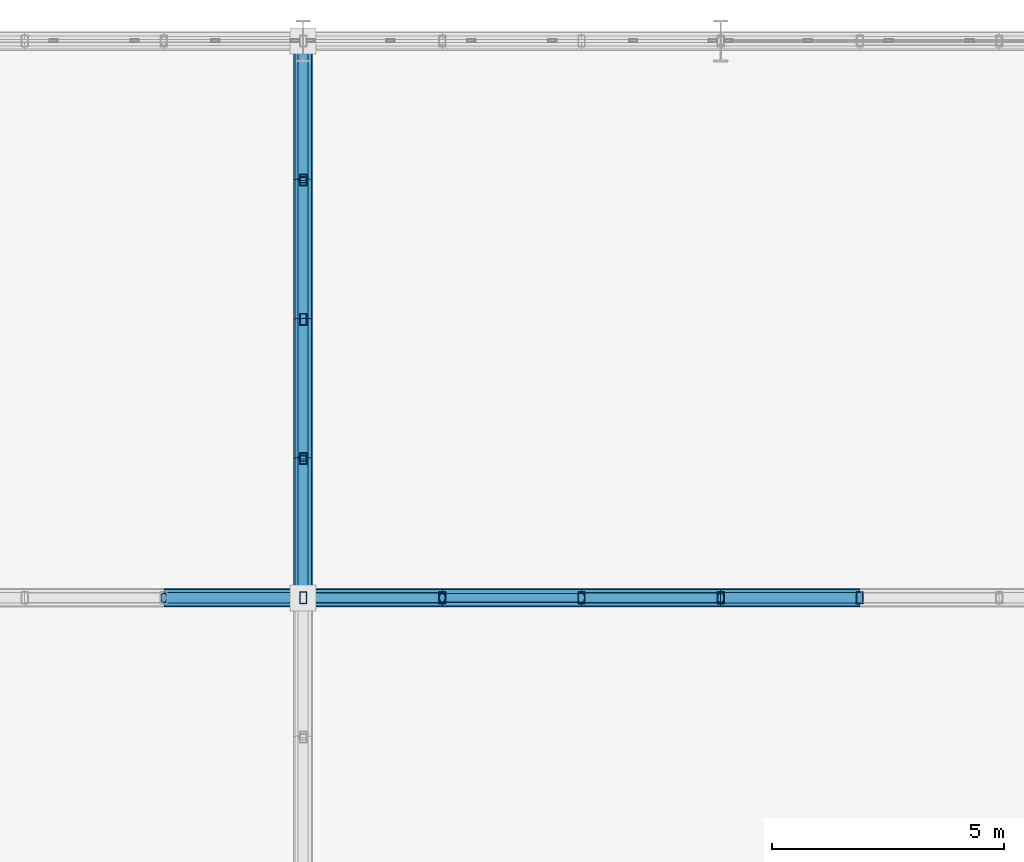
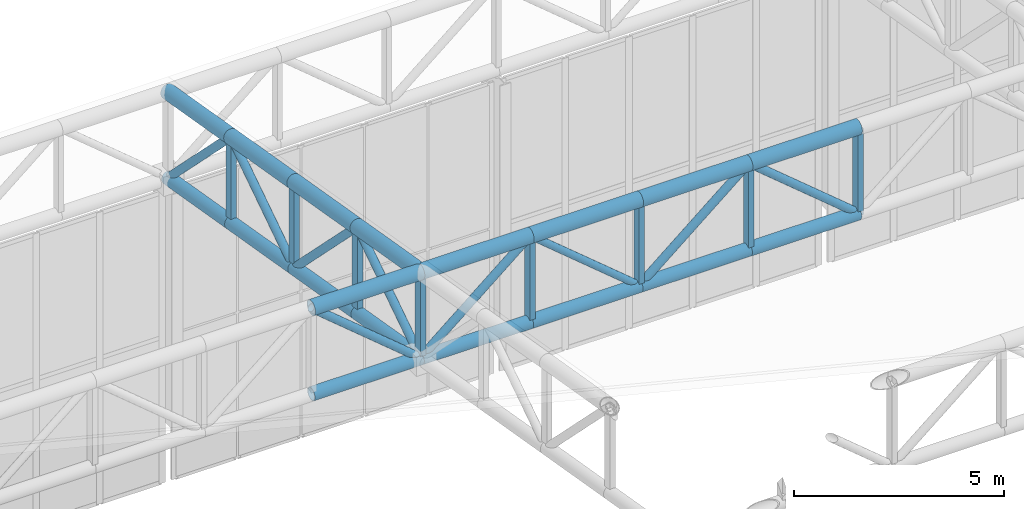
# One storey, part 104 of 239: 35 members.
"""IFC4 building model written with IfcOpenShell, lengths in metres."""

from ifc_helpers import new_model, si_unit, direction, frame, origin, origin_2d, place, context, subcontext, project, spatial, hollow_rectangle, hollow_circle, extrude, material, material_profile, profile_set, type_object, element, save


model = new_model("IFC4")

# Units and contexts
model_context = context("Model", 3, precision=1e-05, world=origin(), true_north=direction((0.0, 1.0)))
body_context = subcontext(model_context, "Body", "Model", "MODEL_VIEW")
ifc_project = project(units=[si_unit("LENGTHUNIT", "METRE"), si_unit("AREAUNIT", "SQUARE_METRE"), si_unit("VOLUMEUNIT", "CUBIC_METRE"), si_unit("PLANEANGLEUNIT", "RADIAN"), si_unit("MASSUNIT", "GRAM", prefix="KILO")], contexts=[model_context])

# Site, building, storey
site_placement = place(None, origin())
site = spatial("IfcSite", under=ifc_project, at=site_placement, CompositionType="ELEMENT")
building_placement = place(site_placement, origin())
building = spatial("IfcBuilding", under=site, at=building_placement, Name="Kaldris Quays Convention Centre", CompositionType="ELEMENT")
storey_placement = place(building_placement, frame((0.0, 0.0, 11.39990234375)))
storey = spatial("IfcBuildingStorey", under=building, at=storey_placement, Name="L02", CompositionType="ELEMENT", Elevation=11.39990234375)

# Members
ifc_material = material(Name="Steel S355J2H", Category="steel")
ifc_material_profile_1 = material_profile(ifc_material, hollow_circle(Radius=0.203125, WallThickness=0.01611328125, at=origin_2d()), Name="CHS 406.4x16")
ifc_profile_set_1 = profile_set([ifc_material_profile_1], Name="Steel S355J2H")
member_type_1 = type_object("IfcMemberType", Name="STRUCTURAL MEMBER SC01", PredefinedType="CHORD", material=ifc_profile_set_1)
for number, where, z_axis, x_axis, name in (
    (1, (35.0, 128.0, 11.72900390625), (1.0, 0.0, 0.0), (0.0, 1.0, 0.0), "SF-V1 Top Chord X 258"),
    (2, (38.0, 128.0, 11.72900390625), (1.0, 0.0, 0.0), (0.0, 1.0, 0.0), "SF-V1 Top Chord X 259"),
    (3, (41.0, 128.0, 11.72900390625), (1.0, 0.0, 0.0), (0.0, 1.0, 0.0), "SF-V1 Top Chord X 260"),
    (4, (44.0, 128.0, 11.72900390625), (1.0, 0.0, 0.0), (0.0, 1.0, 0.0), "SF-V1 Top Chord X 261"),
    (5, (47.0, 128.0, 11.72900390625), (1.0, 0.0, 0.0), (0.0, 1.0, 0.0), "SF-V1 Top Chord X 262"),
):
    element("IfcMember", number, at=place(storey_placement, frame(where, z_axis=z_axis, x_axis=x_axis)), inside=storey, type_object=member_type_1, Name=name, PredefinedType="CHORD", context=body_context, shape_type="SweptSolid", body=[
        extrude(hollow_circle(Radius=0.203125, WallThickness=0.01611328125, at=origin_2d()), origin(), (0.0, 0.0, 1.0), 3.0),
    ])
for number, where, z_axis, x_axis, name in (
    (6, (38.0, 128.0, 11.72900390625), (0.0, 0.98562912375, -0.168923741424), (-1.0, 0.0, 0.0), "SF-V1 Top Chord Y 389"),
    (7, (38.0, 131.0, 11.21484375), (0.0, 0.985615766076, -0.169001661712), (-1.0, 0.0, 0.0), "SF-V1 Top Chord Y 390"),
    (8, (38.0, 134.0, 10.700439453125), (0.0, 0.98562912375, -0.168923741424), (-1.0, 0.0, 0.0), "SF-V1 Top Chord Y 391"),
    (9, (38.0, 137.0, 10.186279296875), (0.0, 0.985615766076, -0.169001661712), (-1.0, 0.0, 0.0), "SF-V1 Top Chord Y 392"),
):
    element("IfcMember", number, at=place(storey_placement, frame(where, z_axis=z_axis, x_axis=x_axis)), inside=storey, type_object=member_type_1, Name=name, PredefinedType="CHORD", context=body_context, shape_type="SweptSolid", body=[
        extrude(hollow_circle(Radius=0.203125, WallThickness=0.01611328125, at=origin_2d()), origin(), (0.0, 0.0, 1.0), 3.043701171875),
    ])
ifc_material_profile_2 = material_profile(ifc_material, hollow_circle(Radius=0.177734375, WallThickness=0.01611328125, at=origin_2d()), Name="CHS 355.6x16")
ifc_profile_set_2 = profile_set([ifc_material_profile_2], Name="Steel S355J2H")
member_type_2 = type_object("IfcMemberType", Name="STRUCTURAL MEMBER SC02", PredefinedType="CHORD", material=ifc_profile_set_2)
for number, where, z_axis, x_axis, name in (
    (10, (35.0, 128.0, 9.22900390625), (1.0, 0.0, 0.0), (0.0, 1.0, 0.0), "SF-V1 Bottom Chord X 258"),
    (11, (38.0, 128.0, 9.22900390625), (1.0, 0.0, 0.0), (0.0, 1.0, 0.0), "SF-V1 Bottom Chord X 259"),
    (12, (41.0, 128.0, 9.22900390625), (1.0, 0.0, 0.0), (0.0, 1.0, 0.0), "SF-V1 Bottom Chord X 260"),
    (13, (44.0, 128.0, 9.22900390625), (1.0, 0.0, 0.0), (0.0, 1.0, 0.0), "SF-V1 Bottom Chord X 261"),
    (14, (47.0, 128.0, 9.22900390625), (1.0, 0.0, 0.0), (0.0, 1.0, 0.0), "SF-V1 Bottom Chord X 262"),
):
    element("IfcMember", number, at=place(storey_placement, frame(where, z_axis=z_axis, x_axis=x_axis)), inside=storey, type_object=member_type_2, Name=name, PredefinedType="CHORD", context=body_context, shape_type="SweptSolid", body=[
        extrude(hollow_circle(Radius=0.177734375, WallThickness=0.01611328125, at=origin_2d()), origin(), (0.0, 0.0, 1.0), 3.0),
    ])
for number, where, z_axis, x_axis, name in (
    (15, (38.0, 128.0, 9.22900390625), (0.0, 0.98562912375, -0.168923741424), (-1.0, 0.0, 0.0), "SF-V1 Bottom Chord Y 389"),
    (16, (38.0, 131.0, 8.71484375), (0.0, 0.985615766076, -0.169001661712), (-1.0, 0.0, 0.0), "SF-V1 Bottom Chord Y 390"),
    (17, (38.0, 134.0, 8.200439453125), (0.0, 0.98562912375, -0.168923741424), (-1.0, 0.0, 0.0), "SF-V1 Bottom Chord Y 391"),
    (18, (38.0, 137.0, 7.686279296875), (0.0, 0.985615766076, -0.169001661712), (-1.0, 0.0, 0.0), "SF-V1 Bottom Chord Y 392"),
):
    element("IfcMember", number, at=place(storey_placement, frame(where, z_axis=z_axis, x_axis=x_axis)), inside=storey, type_object=member_type_2, Name=name, PredefinedType="CHORD", context=body_context, shape_type="SweptSolid", body=[
        extrude(hollow_circle(Radius=0.177734375, WallThickness=0.01611328125, at=origin_2d()), origin(), (0.0, 0.0, 1.0), 3.043701171875),
    ])
ifc_material_profile_3 = material_profile(ifc_material, hollow_circle(Radius=0.109619140625, WallThickness=0.010009765625, at=origin_2d()), Name="CHS 219.1x10")
ifc_profile_set_3 = profile_set([ifc_material_profile_3], Name="Steel S355J2H")
member_type_3 = type_object("IfcMemberType", Name="STRUCTURAL MEMBER SWB1", PredefinedType="BRACE", material=ifc_profile_set_3)
for number, where, z_axis, x_axis, name in (
    (19, (38.0, 128.0, 9.22900390625), (-0.768221279597, 0.0, 0.640184399664), (0.0, -1.0, 0.0), "SF-V1 Web Diagonal X 258"),
    (20, (38.0, 128.0, 9.22900390625), (0.768221279597, 0.0, 0.640184399664), (0.0, 1.0, 0.0), "SF-V1 Web Diagonal X 259"),
    (21, (44.0, 128.0, 9.22900390625), (0.768221279597, 0.0, 0.640184399664), (0.0, 1.0, 0.0), "SF-V1 Web Diagonal X 261"),
    (22, (50.0, 128.0, 9.22900390625), (-0.768221279597, 0.0, 0.640184399664), (0.0, -1.0, 0.0), "SF-V1 Web Diagonal X 262"),
):
    element("IfcMember", number, at=place(storey_placement, frame(where, z_axis=z_axis, x_axis=x_axis)), inside=storey, type_object=member_type_3, Name=name, PredefinedType="BRACE", context=body_context, shape_type="SweptSolid", body=[
        extrude(hollow_circle(Radius=0.109619140625, WallThickness=0.010009765625, at=origin_2d()), origin(), (0.0, 0.0, 1.0), 3.905029296875),
    ])
member_1_placement = place(storey_placement, frame((38.0, 128.0, 9.22900390625), z_axis=(0.0, 0.833862389808, 0.551972385962), x_axis=(-1.0, 0.0, 0.0)))
element("IfcMember", 23, at=member_1_placement, inside=storey, type_object=member_type_3, Name="SF-V1 Web Diagonal Y 389", PredefinedType="BRACE", context=body_context, shape_type="SweptSolid", body=[
    extrude(hollow_circle(Radius=0.109619140625, WallThickness=0.010009765625, at=origin_2d()), origin(), (0.0, 0.0, 1.0), 3.59765625),
])
member_2_placement = place(storey_placement, frame((38.0, 134.0, 8.200439453125), z_axis=(0.0, -0.705411261057, 0.708798245465), x_axis=(1.0, 0.0, 0.0)))
element("IfcMember", 24, at=member_2_placement, inside=storey, type_object=member_type_3, Name="SF-V1 Web Diagonal Y 390", PredefinedType="BRACE", context=body_context, shape_type="SweptSolid", body=[
    extrude(hollow_circle(Radius=0.109619140625, WallThickness=0.010009765625, at=origin_2d()), origin(), (0.0, 0.0, 1.0), 4.2529296875),
])
member_3_placement = place(storey_placement, frame((38.0, 134.0, 8.200439453125), z_axis=(0.0, 0.833862389808, 0.551972385962), x_axis=(-1.0, 0.0, 0.0)))
element("IfcMember", 25, at=member_3_placement, inside=storey, type_object=member_type_3, Name="SF-V1 Web Diagonal Y 391", PredefinedType="BRACE", context=body_context, shape_type="SweptSolid", body=[
    extrude(hollow_circle(Radius=0.109619140625, WallThickness=0.010009765625, at=origin_2d()), origin(), (0.0, 0.0, 1.0), 3.59765625),
])
member_4_placement = place(storey_placement, frame((38.0, 140.0, 7.171875), z_axis=(0.0, -0.705411261057, 0.708798245465), x_axis=(1.0, 0.0, 0.0)))
element("IfcMember", 26, at=member_4_placement, inside=storey, type_object=member_type_3, Name="SF-V1 Web Diagonal Y 392", PredefinedType="BRACE", context=body_context, shape_type="SweptSolid", body=[
    extrude(hollow_circle(Radius=0.109619140625, WallThickness=0.010009765625, at=origin_2d()), origin(), (0.0, 0.0, 1.0), 4.2529296875),
])
ifc_material_profile_4 = material_profile(ifc_material, hollow_circle(Radius=0.096923828125, WallThickness=0.008056640625, at=origin_2d()), Name="CHS 193.7x8")
ifc_profile_set_4 = profile_set([ifc_material_profile_4], Name="Steel S355J2H")
member_type_4 = type_object("IfcMemberType", Name="STRUCTURAL MEMBER SWB3", PredefinedType="BRACE", material=ifc_profile_set_4)
member_5_placement = place(storey_placement, frame((44.0, 128.0, 9.22900390625), z_axis=(-0.768221279597, 0.0, 0.640184399664), x_axis=(0.0, -1.0, 0.0)))
element("IfcMember", 27, at=member_5_placement, inside=storey, type_object=member_type_4, Name="SF-V1 Web Diagonal X 260", PredefinedType="BRACE", context=body_context, shape_type="SweptSolid", body=[
    extrude(hollow_circle(Radius=0.096923828125, WallThickness=0.008056640625, at=origin_2d()), origin(), (0.0, 0.0, 1.0), 3.905029296875),
])
ifc_material_profile_5 = material_profile(ifc_material, hollow_rectangle(XDim=0.14990234375, YDim=0.25, WallThickness=0.010009765625, at=origin_2d()), Name="RHS 250x150x10")
ifc_profile_set_5 = profile_set([ifc_material_profile_5], Name="Steel S355J2H")
member_type_5 = type_object("IfcMemberType", Name="STRUCTURAL MEMBER TTV1", PredefinedType="POST", material=ifc_profile_set_5)
for number, where, z_axis, x_axis, name in (
    (28, (38.0, 128.0, 9.22900390625), (0.0, 0.0, 1.0), (1.0, 0.0, 0.0), "SF-V1 Space-Frame Post 94"),
    (29, (38.0, 131.0, 8.71484375), (0.0, 0.0, 1.0), (1.0, 0.0, 0.0), "SF-V1 Space-Frame Post 95"),
    (30, (38.0, 134.0, 8.200439453125), (0.0, 0.0, 1.0), (1.0, 0.0, 0.0), "SF-V1 Space-Frame Post 96"),
    (31, (38.0, 137.0, 7.686279296875), (0.0, 0.0, 1.0), (1.0, 0.0, 0.0), "SF-V1 Space-Frame Post 97"),
    (32, (41.0, 128.0, 9.22900390625), (0.0, 0.0, 1.0), (1.0, 0.0, 0.0), "SF-V1 Space-Frame Post 105"),
    (33, (44.0, 128.0, 9.22900390625), (0.0, 0.0, 1.0), (1.0, 0.0, 0.0), "SF-V1 Space-Frame Post 113"),
    (34, (47.0, 128.0, 9.22900390625), (0.0, 0.0, 1.0), (1.0, 0.0, 0.0), "SF-V1 Space-Frame Post 121"),
    (35, (50.0, 128.0, 9.22900390625), (0.0, 0.0, 1.0), (1.0, 0.0, 0.0), "SF-V1 Space-Frame Post 129"),
):
    element("IfcMember", number, at=place(storey_placement, frame(where, z_axis=z_axis, x_axis=x_axis)), inside=storey, type_object=member_type_5, Name=name, PredefinedType="POST", context=body_context, shape_type="SweptSolid", body=[
        extrude(hollow_rectangle(XDim=0.14990234375, YDim=0.25, WallThickness=0.010009765625, at=origin_2d()), origin(), (0.0, 0.0, 1.0), 2.5),
    ])

save(model, "model.ifc")
